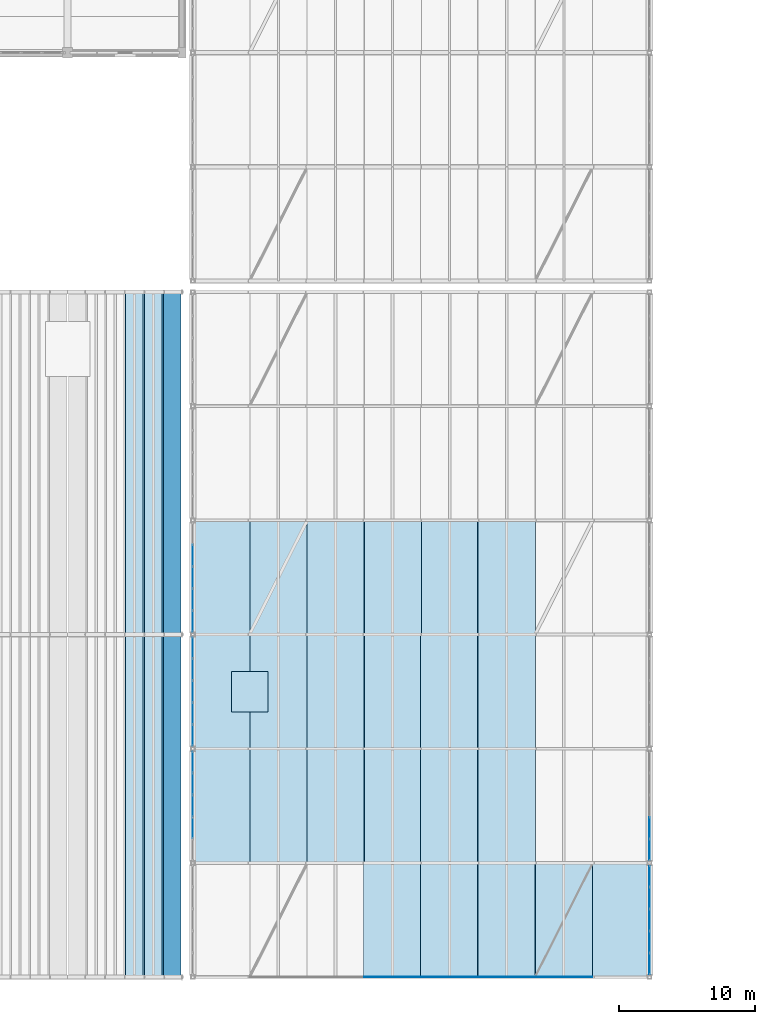
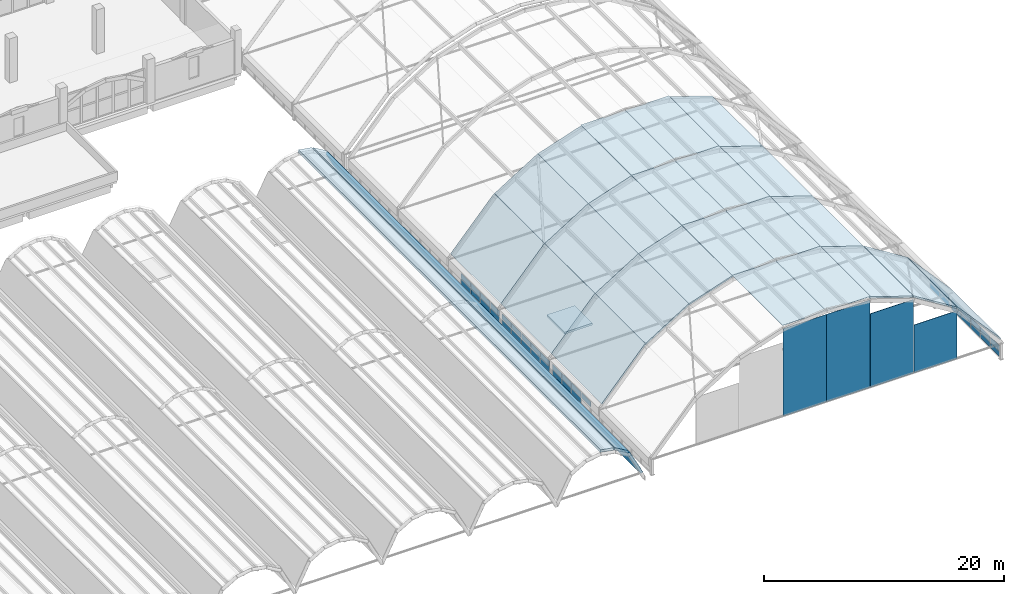
# One storey, part 88 of 114: 51 plates, 19 slabs, 5 elements without a shape of their own.
"""IFC4 building model written with IfcOpenShell, lengths in metres."""

from ifc_helpers import new_model, si_unit, direction, frame, origin, origin_2d, place, context, subcontext, project, spatial, polyline, rectangle, outline, extrude, material, layer, layer_set, type_object, element, aggregate, save


model = new_model("IFC4")

# Units and contexts
model_context = context("Model", 3, precision=1e-05, world=origin(), true_north=direction((0.0, 1.0)))
body_context = subcontext(model_context, "Body", "Model", "MODEL_VIEW")
ifc_project = project(units=[si_unit("LENGTHUNIT", "METRE"), si_unit("AREAUNIT", "SQUARE_METRE"), si_unit("VOLUMEUNIT", "CUBIC_METRE"), si_unit("PLANEANGLEUNIT", "RADIAN"), si_unit("MASSUNIT", "GRAM", prefix="KILO")], contexts=[model_context])

# Site, building, storey
site_placement = place(None, origin())
site = spatial("IfcSite", under=ifc_project, at=site_placement, CompositionType="ELEMENT")
building_placement = place(site_placement, origin())
building = spatial("IfcBuilding", under=site, at=building_placement, Name="Xazarin Passage Department Store", CompositionType="ELEMENT")
storey_placement = place(building_placement, frame((0.0, 0.0, 14.39990234375)))
storey = spatial("IfcBuildingStorey", under=building, at=storey_placement, Name="L03", CompositionType="ELEMENT", Elevation=14.39990234375)

# Curtain wall, plates
ifc_material_1 = material(Name="Bronze anodised aluminium", Category="aluminium")
ifc_layer_1 = layer(ifc_material_1, 0.159912109375)
ifc_layer_set_1 = layer_set([ifc_layer_1], Name="Bronze anodised aluminium")
curtain_wall_type = type_object("IfcCurtainWallType", Name="ARC-CW-ARC1", PredefinedType="NOTDEFINED", material=ifc_layer_set_1)
curtain_wall_1_placement = place(storey_placement, origin())
curtain_wall_1 = element("IfcCurtainWall", 1, at=curtain_wall_1_placement, inside=storey, type_object=curtain_wall_type, Name="L03 V2S Galleria Clerestory Curtain Wall 1E", PredefinedType="NOTDEFINED")
ifc_material_2 = material(Name="Low-E laminated safety glass", Category="glass")
ifc_layer_2 = layer(ifc_material_2, 0.028076171875)
ifc_layer_set_2 = layer_set([ifc_layer_2], Name="Low-E laminated safety glass")
plate_type_1 = type_object("IfcPlateType", Name="ARC-CWP-GLZ28", PredefinedType="CURTAIN_PANEL", material=ifc_layer_set_2)
plate_1_placement = place(storey_placement, frame((101.60009765625, 0.984130859375, 0.065185546875), z_axis=(0.0, 0.0, 1.0), x_axis=(0.0, 1.0, 0.0)))
plate_1 = element("IfcPlate", 2, at=plate_1_placement, type_object=plate_type_1, Name="CW3 panel 1.1", PredefinedType="CURTAIN_PANEL", context=body_context, shape_type="SweptSolid", body=[
    extrude(rectangle(XDim=1.5185546875, YDim=0.028076171875, at=origin_2d()), origin(), (0.0, 0.0, 1.0), 0.5283203125),
])
plate_2_placement = place(storey_placement, frame((101.60009765625, 0.984130859375, 0.658447265625), z_axis=(0.0, 0.0, 1.0), x_axis=(0.0, 1.0, 0.0)))
plate_2 = element("IfcPlate", 3, at=plate_2_placement, type_object=plate_type_1, Name="CW3 panel 1.2", PredefinedType="CURTAIN_PANEL", context=body_context, shape_type="SweptSolid", body=[
    extrude(rectangle(XDim=1.5185546875, YDim=0.028076171875, at=origin_2d()), origin(), (0.0, 0.0, 1.0), 0.5283203125),
])
plate_3_placement = place(storey_placement, frame((101.60009765625, 2.583984375, 0.065185546875), z_axis=(0.0, 0.0, 1.0), x_axis=(0.0, 1.0, 0.0)))
plate_3 = element("IfcPlate", 4, at=plate_3_placement, type_object=plate_type_1, Name="CW3 panel 2.1", PredefinedType="CURTAIN_PANEL", context=body_context, shape_type="SweptSolid", body=[
    extrude(rectangle(XDim=1.551025390625, YDim=0.028076171875, at=origin_2d()), origin(), (0.0, 0.0, 1.0), 0.5283203125),
])
plate_4_placement = place(storey_placement, frame((101.60009765625, 2.583984375, 0.658447265625), z_axis=(0.0, 0.0, 1.0), x_axis=(0.0, 1.0, 0.0)))
plate_4 = element("IfcPlate", 5, at=plate_4_placement, type_object=plate_type_1, Name="CW3 panel 2.2", PredefinedType="CURTAIN_PANEL", context=body_context, shape_type="SweptSolid", body=[
    extrude(rectangle(XDim=1.551025390625, YDim=0.028076171875, at=origin_2d()), origin(), (0.0, 0.0, 1.0), 0.5283203125),
])
plate_5_placement = place(storey_placement, frame((101.60009765625, 4.199951171875, 0.065185546875), z_axis=(0.0, 0.0, 1.0), x_axis=(0.0, 1.0, 0.0)))
plate_5 = element("IfcPlate", 6, at=plate_5_placement, type_object=plate_type_1, Name="CW3 panel 3.1", PredefinedType="CURTAIN_PANEL", context=body_context, shape_type="SweptSolid", body=[
    extrude(rectangle(XDim=1.551025390625, YDim=0.028076171875, at=origin_2d()), origin(), (0.0, 0.0, 1.0), 0.5283203125),
])
plate_6_placement = place(storey_placement, frame((101.60009765625, 4.199951171875, 0.658447265625), z_axis=(0.0, 0.0, 1.0), x_axis=(0.0, 1.0, 0.0)))
plate_6 = element("IfcPlate", 7, at=plate_6_placement, type_object=plate_type_1, Name="CW3 panel 3.2", PredefinedType="CURTAIN_PANEL", context=body_context, shape_type="SweptSolid", body=[
    extrude(rectangle(XDim=1.551025390625, YDim=0.028076171875, at=origin_2d()), origin(), (0.0, 0.0, 1.0), 0.5283203125),
])
plate_7_placement = place(storey_placement, frame((101.60009765625, 5.81591796875, 0.065185546875), z_axis=(0.0, 0.0, 1.0), x_axis=(0.0, 1.0, 0.0)))
plate_7 = element("IfcPlate", 8, at=plate_7_placement, type_object=plate_type_1, Name="CW3 panel 4.1", PredefinedType="CURTAIN_PANEL", context=body_context, shape_type="SweptSolid", body=[
    extrude(rectangle(XDim=1.551025390625, YDim=0.028076171875, at=origin_2d()), origin(), (0.0, 0.0, 1.0), 0.5283203125),
])
plate_8_placement = place(storey_placement, frame((101.60009765625, 5.81591796875, 0.658447265625), z_axis=(0.0, 0.0, 1.0), x_axis=(0.0, 1.0, 0.0)))
plate_8 = element("IfcPlate", 9, at=plate_8_placement, type_object=plate_type_1, Name="CW3 panel 4.2", PredefinedType="CURTAIN_PANEL", context=body_context, shape_type="SweptSolid", body=[
    extrude(rectangle(XDim=1.551025390625, YDim=0.028076171875, at=origin_2d()), origin(), (0.0, 0.0, 1.0), 0.5283203125),
])
plate_9_placement = place(storey_placement, frame((101.60009765625, 7.415771484375, 0.065185546875), z_axis=(0.0, 0.0, 1.0), x_axis=(0.0, 1.0, 0.0)))
plate_9 = element("IfcPlate", 10, at=plate_9_placement, type_object=plate_type_1, Name="CW3 panel 5.1", PredefinedType="CURTAIN_PANEL", context=body_context, shape_type="SweptSolid", body=[
    extrude(rectangle(XDim=1.5185546875, YDim=0.028076171875, at=origin_2d()), origin(), (0.0, 0.0, 1.0), 0.5283203125),
])
plate_10_placement = place(storey_placement, frame((101.60009765625, 7.415771484375, 0.658447265625), z_axis=(0.0, 0.0, 1.0), x_axis=(0.0, 1.0, 0.0)))
plate_10 = element("IfcPlate", 11, at=plate_10_placement, type_object=plate_type_1, Name="CW3 panel 5.2", PredefinedType="CURTAIN_PANEL", context=body_context, shape_type="SweptSolid", body=[
    extrude(rectangle(XDim=1.5185546875, YDim=0.028076171875, at=origin_2d()), origin(), (0.0, 0.0, 1.0), 0.5283203125),
])
aggregate(curtain_wall_1, [plate_1, plate_2, plate_3, plate_4, plate_5, plate_6, plate_7, plate_8, plate_9, plate_10])

curtain_wall_2_placement = place(storey_placement, origin())
curtain_wall_2 = element("IfcCurtainWall", 12, at=curtain_wall_2_placement, inside=storey, type_object=curtain_wall_type, Name="L03 V2S Galleria Clerestory Curtain Wall 2W", PredefinedType="NOTDEFINED")
plate_11_placement = place(storey_placement, frame((68.0, 10.98388671875, 0.658447265625), z_axis=(0.0, 0.0, 1.0), x_axis=(0.0, 1.0, 0.0)))
plate_11 = element("IfcPlate", 13, at=plate_11_placement, type_object=plate_type_1, Name="CW3 panel 2.2", PredefinedType="CURTAIN_PANEL", context=body_context, shape_type="SweptSolid", body=[
    extrude(rectangle(XDim=1.551025390625, YDim=0.028076171875, at=origin_2d()), origin(), (0.0, 0.0, 1.0), 0.5283203125),
])
plate_12_placement = place(storey_placement, frame((68.0, 12.60009765625, 0.065185546875), z_axis=(0.0, 0.0, 1.0), x_axis=(0.0, 1.0, 0.0)))
plate_12 = element("IfcPlate", 14, at=plate_12_placement, type_object=plate_type_1, Name="CW3 panel 3.1", PredefinedType="CURTAIN_PANEL", context=body_context, shape_type="SweptSolid", body=[
    extrude(rectangle(XDim=1.551025390625, YDim=0.028076171875, at=origin_2d()), origin(), (0.0, 0.0, 1.0), 0.5283203125),
])
plate_13_placement = place(storey_placement, frame((68.0, 12.60009765625, 0.658447265625), z_axis=(0.0, 0.0, 1.0), x_axis=(0.0, 1.0, 0.0)))
plate_13 = element("IfcPlate", 15, at=plate_13_placement, type_object=plate_type_1, Name="CW3 panel 3.2", PredefinedType="CURTAIN_PANEL", context=body_context, shape_type="SweptSolid", body=[
    extrude(rectangle(XDim=1.551025390625, YDim=0.028076171875, at=origin_2d()), origin(), (0.0, 0.0, 1.0), 0.5283203125),
])
plate_14_placement = place(storey_placement, frame((68.0, 14.216064453125, 0.065185546875), z_axis=(0.0, 0.0, 1.0), x_axis=(0.0, 1.0, 0.0)))
plate_14 = element("IfcPlate", 16, at=plate_14_placement, type_object=plate_type_1, Name="CW3 panel 4.1", PredefinedType="CURTAIN_PANEL", context=body_context, shape_type="SweptSolid", body=[
    extrude(rectangle(XDim=1.551025390625, YDim=0.028076171875, at=origin_2d()), origin(), (0.0, 0.0, 1.0), 0.5283203125),
])
plate_15_placement = place(storey_placement, frame((68.0, 14.216064453125, 0.658447265625), z_axis=(0.0, 0.0, 1.0), x_axis=(0.0, 1.0, 0.0)))
plate_15 = element("IfcPlate", 17, at=plate_15_placement, type_object=plate_type_1, Name="CW3 panel 4.2", PredefinedType="CURTAIN_PANEL", context=body_context, shape_type="SweptSolid", body=[
    extrude(rectangle(XDim=1.551025390625, YDim=0.028076171875, at=origin_2d()), origin(), (0.0, 0.0, 1.0), 0.5283203125),
])
plate_16_placement = place(storey_placement, frame((68.0, 15.815673828125, 0.065185546875), z_axis=(0.0, 0.0, 1.0), x_axis=(0.0, 1.0, 0.0)))
plate_16 = element("IfcPlate", 18, at=plate_16_placement, type_object=plate_type_1, Name="CW3 panel 5.1", PredefinedType="CURTAIN_PANEL", context=body_context, shape_type="SweptSolid", body=[
    extrude(rectangle(XDim=1.5185546875, YDim=0.028076171875, at=origin_2d()), origin(), (0.0, 0.0, 1.0), 0.5283203125),
])
plate_17_placement = place(storey_placement, frame((68.0, 15.815673828125, 0.658447265625), z_axis=(0.0, 0.0, 1.0), x_axis=(0.0, 1.0, 0.0)))
plate_17 = element("IfcPlate", 19, at=plate_17_placement, type_object=plate_type_1, Name="CW3 panel 5.2", PredefinedType="CURTAIN_PANEL", context=body_context, shape_type="SweptSolid", body=[
    extrude(rectangle(XDim=1.5185546875, YDim=0.028076171875, at=origin_2d()), origin(), (0.0, 0.0, 1.0), 0.5283203125),
])
aggregate(curtain_wall_2, [plate_11, plate_12, plate_13, plate_14, plate_15, plate_16, plate_17])

curtain_wall_3_placement = place(storey_placement, origin())
curtain_wall_3 = element("IfcCurtainWall", 20, at=curtain_wall_3_placement, inside=storey, type_object=curtain_wall_type, Name="L03 V2S Galleria Clerestory Curtain Wall 2E", PredefinedType="NOTDEFINED")
plate_18_placement = place(storey_placement, frame((101.60009765625, 9.38427734375, 0.065185546875), z_axis=(0.0, 0.0, 1.0), x_axis=(0.0, 1.0, 0.0)))
plate_18 = element("IfcPlate", 21, at=plate_18_placement, type_object=plate_type_1, Name="CW3 panel 1.1", PredefinedType="CURTAIN_PANEL", context=body_context, shape_type="SweptSolid", body=[
    extrude(rectangle(XDim=1.5185546875, YDim=0.028076171875, at=origin_2d()), origin(), (0.0, 0.0, 1.0), 0.5283203125),
])
plate_19_placement = place(storey_placement, frame((101.60009765625, 9.38427734375, 0.658447265625), z_axis=(0.0, 0.0, 1.0), x_axis=(0.0, 1.0, 0.0)))
plate_19 = element("IfcPlate", 22, at=plate_19_placement, type_object=plate_type_1, Name="CW3 panel 1.2", PredefinedType="CURTAIN_PANEL", context=body_context, shape_type="SweptSolid", body=[
    extrude(rectangle(XDim=1.5185546875, YDim=0.028076171875, at=origin_2d()), origin(), (0.0, 0.0, 1.0), 0.5283203125),
])
plate_20_placement = place(storey_placement, frame((101.60009765625, 10.98388671875, 0.065185546875), z_axis=(0.0, 0.0, 1.0), x_axis=(0.0, 1.0, 0.0)))
plate_20 = element("IfcPlate", 23, at=plate_20_placement, type_object=plate_type_1, Name="CW3 panel 2.1", PredefinedType="CURTAIN_PANEL", context=body_context, shape_type="SweptSolid", body=[
    extrude(rectangle(XDim=1.551025390625, YDim=0.028076171875, at=origin_2d()), origin(), (0.0, 0.0, 1.0), 0.5283203125),
])
plate_21_placement = place(storey_placement, frame((101.60009765625, 10.98388671875, 0.658447265625), z_axis=(0.0, 0.0, 1.0), x_axis=(0.0, 1.0, 0.0)))
plate_21 = element("IfcPlate", 24, at=plate_21_placement, type_object=plate_type_1, Name="CW3 panel 2.2", PredefinedType="CURTAIN_PANEL", context=body_context, shape_type="SweptSolid", body=[
    extrude(rectangle(XDim=1.551025390625, YDim=0.028076171875, at=origin_2d()), origin(), (0.0, 0.0, 1.0), 0.5283203125),
])
aggregate(curtain_wall_3, [plate_18, plate_19, plate_20, plate_21])

curtain_wall_4_placement = place(storey_placement, origin())
curtain_wall_4 = element("IfcCurtainWall", 25, at=curtain_wall_4_placement, inside=storey, type_object=curtain_wall_type, Name="L03 V2S Galleria Clerestory Curtain Wall 3W", PredefinedType="NOTDEFINED")
plate_22_placement = place(storey_placement, frame((68.0, 17.7841796875, 0.065185546875), z_axis=(0.0, 0.0, 1.0), x_axis=(0.0, 1.0, 0.0)))
plate_22 = element("IfcPlate", 26, at=plate_22_placement, type_object=plate_type_1, Name="CW3 panel 1.1", PredefinedType="CURTAIN_PANEL", context=body_context, shape_type="SweptSolid", body=[
    extrude(rectangle(XDim=1.5185546875, YDim=0.028076171875, at=origin_2d()), origin(), (0.0, 0.0, 1.0), 0.5283203125),
])
plate_23_placement = place(storey_placement, frame((68.0, 17.7841796875, 0.658447265625), z_axis=(0.0, 0.0, 1.0), x_axis=(0.0, 1.0, 0.0)))
plate_23 = element("IfcPlate", 27, at=plate_23_placement, type_object=plate_type_1, Name="CW3 panel 1.2", PredefinedType="CURTAIN_PANEL", context=body_context, shape_type="SweptSolid", body=[
    extrude(rectangle(XDim=1.5185546875, YDim=0.028076171875, at=origin_2d()), origin(), (0.0, 0.0, 1.0), 0.5283203125),
])
plate_24_placement = place(storey_placement, frame((68.0, 19.384033203125, 0.065185546875), z_axis=(0.0, 0.0, 1.0), x_axis=(0.0, 1.0, 0.0)))
plate_24 = element("IfcPlate", 28, at=plate_24_placement, type_object=plate_type_1, Name="CW3 panel 2.1", PredefinedType="CURTAIN_PANEL", context=body_context, shape_type="SweptSolid", body=[
    extrude(rectangle(XDim=1.551025390625, YDim=0.028076171875, at=origin_2d()), origin(), (0.0, 0.0, 1.0), 0.5283203125),
])
plate_25_placement = place(storey_placement, frame((68.0, 19.384033203125, 0.658447265625), z_axis=(0.0, 0.0, 1.0), x_axis=(0.0, 1.0, 0.0)))
plate_25 = element("IfcPlate", 29, at=plate_25_placement, type_object=plate_type_1, Name="CW3 panel 2.2", PredefinedType="CURTAIN_PANEL", context=body_context, shape_type="SweptSolid", body=[
    extrude(rectangle(XDim=1.551025390625, YDim=0.028076171875, at=origin_2d()), origin(), (0.0, 0.0, 1.0), 0.5283203125),
])
plate_26_placement = place(storey_placement, frame((68.0, 21.0, 0.065185546875), z_axis=(0.0, 0.0, 1.0), x_axis=(0.0, 1.0, 0.0)))
plate_26 = element("IfcPlate", 30, at=plate_26_placement, type_object=plate_type_1, Name="CW3 panel 3.1", PredefinedType="CURTAIN_PANEL", context=body_context, shape_type="SweptSolid", body=[
    extrude(rectangle(XDim=1.551025390625, YDim=0.028076171875, at=origin_2d()), origin(), (0.0, 0.0, 1.0), 0.5283203125),
])
plate_27_placement = place(storey_placement, frame((68.0, 21.0, 0.658447265625), z_axis=(0.0, 0.0, 1.0), x_axis=(0.0, 1.0, 0.0)))
plate_27 = element("IfcPlate", 31, at=plate_27_placement, type_object=plate_type_1, Name="CW3 panel 3.2", PredefinedType="CURTAIN_PANEL", context=body_context, shape_type="SweptSolid", body=[
    extrude(rectangle(XDim=1.551025390625, YDim=0.028076171875, at=origin_2d()), origin(), (0.0, 0.0, 1.0), 0.5283203125),
])
plate_28_placement = place(storey_placement, frame((68.0, 22.615966796875, 0.065185546875), z_axis=(0.0, 0.0, 1.0), x_axis=(0.0, 1.0, 0.0)))
plate_28 = element("IfcPlate", 32, at=plate_28_placement, type_object=plate_type_1, Name="CW3 panel 4.1", PredefinedType="CURTAIN_PANEL", context=body_context, shape_type="SweptSolid", body=[
    extrude(rectangle(XDim=1.551025390625, YDim=0.028076171875, at=origin_2d()), origin(), (0.0, 0.0, 1.0), 0.5283203125),
])
plate_29_placement = place(storey_placement, frame((68.0, 22.615966796875, 0.658447265625), z_axis=(0.0, 0.0, 1.0), x_axis=(0.0, 1.0, 0.0)))
plate_29 = element("IfcPlate", 33, at=plate_29_placement, type_object=plate_type_1, Name="CW3 panel 4.2", PredefinedType="CURTAIN_PANEL", context=body_context, shape_type="SweptSolid", body=[
    extrude(rectangle(XDim=1.551025390625, YDim=0.028076171875, at=origin_2d()), origin(), (0.0, 0.0, 1.0), 0.5283203125),
])
plate_30_placement = place(storey_placement, frame((68.0, 24.2158203125, 0.065185546875), z_axis=(0.0, 0.0, 1.0), x_axis=(0.0, 1.0, 0.0)))
plate_30 = element("IfcPlate", 34, at=plate_30_placement, type_object=plate_type_1, Name="CW3 panel 5.1", PredefinedType="CURTAIN_PANEL", context=body_context, shape_type="SweptSolid", body=[
    extrude(rectangle(XDim=1.5185546875, YDim=0.028076171875, at=origin_2d()), origin(), (0.0, 0.0, 1.0), 0.5283203125),
])
plate_31_placement = place(storey_placement, frame((68.0, 24.2158203125, 0.658447265625), z_axis=(0.0, 0.0, 1.0), x_axis=(0.0, 1.0, 0.0)))
plate_31 = element("IfcPlate", 35, at=plate_31_placement, type_object=plate_type_1, Name="CW3 panel 5.2", PredefinedType="CURTAIN_PANEL", context=body_context, shape_type="SweptSolid", body=[
    extrude(rectangle(XDim=1.5185546875, YDim=0.028076171875, at=origin_2d()), origin(), (0.0, 0.0, 1.0), 0.5283203125),
])
aggregate(curtain_wall_4, [plate_22, plate_23, plate_24, plate_25, plate_26, plate_27, plate_28, plate_29, plate_30, plate_31])

curtain_wall_5_placement = place(storey_placement, origin())
curtain_wall_5 = element("IfcCurtainWall", 36, at=curtain_wall_5_placement, inside=storey, type_object=curtain_wall_type, Name="L03 V2S Galleria Clerestory Curtain Wall 4W", PredefinedType="NOTDEFINED")
plate_32_placement = place(storey_placement, frame((68.0, 26.184326171875, 0.065185546875), z_axis=(0.0, 0.0, 1.0), x_axis=(0.0, 1.0, 0.0)))
plate_32 = element("IfcPlate", 37, at=plate_32_placement, type_object=plate_type_1, Name="CW3 panel 1.1", PredefinedType="CURTAIN_PANEL", context=body_context, shape_type="SweptSolid", body=[
    extrude(rectangle(XDim=1.5185546875, YDim=0.028076171875, at=origin_2d()), origin(), (0.0, 0.0, 1.0), 0.5283203125),
])
plate_33_placement = place(storey_placement, frame((68.0, 26.184326171875, 0.658447265625), z_axis=(0.0, 0.0, 1.0), x_axis=(0.0, 1.0, 0.0)))
plate_33 = element("IfcPlate", 38, at=plate_33_placement, type_object=plate_type_1, Name="CW3 panel 1.2", PredefinedType="CURTAIN_PANEL", context=body_context, shape_type="SweptSolid", body=[
    extrude(rectangle(XDim=1.5185546875, YDim=0.028076171875, at=origin_2d()), origin(), (0.0, 0.0, 1.0), 0.5283203125),
])
plate_34_placement = place(storey_placement, frame((68.0, 27.783935546875, 0.065185546875), z_axis=(0.0, 0.0, 1.0), x_axis=(0.0, 1.0, 0.0)))
plate_34 = element("IfcPlate", 39, at=plate_34_placement, type_object=plate_type_1, Name="CW3 panel 2.1", PredefinedType="CURTAIN_PANEL", context=body_context, shape_type="SweptSolid", body=[
    extrude(rectangle(XDim=1.551025390625, YDim=0.028076171875, at=origin_2d()), origin(), (0.0, 0.0, 1.0), 0.5283203125),
])
plate_35_placement = place(storey_placement, frame((68.0, 27.783935546875, 0.658447265625), z_axis=(0.0, 0.0, 1.0), x_axis=(0.0, 1.0, 0.0)))
plate_35 = element("IfcPlate", 40, at=plate_35_placement, type_object=plate_type_1, Name="CW3 panel 2.2", PredefinedType="CURTAIN_PANEL", context=body_context, shape_type="SweptSolid", body=[
    extrude(rectangle(XDim=1.551025390625, YDim=0.028076171875, at=origin_2d()), origin(), (0.0, 0.0, 1.0), 0.5283203125),
])
plate_36_placement = place(storey_placement, frame((68.0, 29.39990234375, 0.065185546875), z_axis=(0.0, 0.0, 1.0), x_axis=(0.0, 1.0, 0.0)))
plate_36 = element("IfcPlate", 41, at=plate_36_placement, type_object=plate_type_1, Name="CW3 panel 3.1", PredefinedType="CURTAIN_PANEL", context=body_context, shape_type="SweptSolid", body=[
    extrude(rectangle(XDim=1.551025390625, YDim=0.028076171875, at=origin_2d()), origin(), (0.0, 0.0, 1.0), 0.5283203125),
])
plate_37_placement = place(storey_placement, frame((68.0, 29.39990234375, 0.658447265625), z_axis=(0.0, 0.0, 1.0), x_axis=(0.0, 1.0, 0.0)))
plate_37 = element("IfcPlate", 42, at=plate_37_placement, type_object=plate_type_1, Name="CW3 panel 3.2", PredefinedType="CURTAIN_PANEL", context=body_context, shape_type="SweptSolid", body=[
    extrude(rectangle(XDim=1.551025390625, YDim=0.028076171875, at=origin_2d()), origin(), (0.0, 0.0, 1.0), 0.5283203125),
])
plate_38_placement = place(storey_placement, frame((68.0, 31.01611328125, 0.065185546875), z_axis=(0.0, 0.0, 1.0), x_axis=(0.0, 1.0, 0.0)))
plate_38 = element("IfcPlate", 43, at=plate_38_placement, type_object=plate_type_1, Name="CW3 panel 4.1", PredefinedType="CURTAIN_PANEL", context=body_context, shape_type="SweptSolid", body=[
    extrude(rectangle(XDim=1.551025390625, YDim=0.028076171875, at=origin_2d()), origin(), (0.0, 0.0, 1.0), 0.5283203125),
])
plate_39_placement = place(storey_placement, frame((68.0, 31.01611328125, 0.658447265625), z_axis=(0.0, 0.0, 1.0), x_axis=(0.0, 1.0, 0.0)))
plate_39 = element("IfcPlate", 44, at=plate_39_placement, type_object=plate_type_1, Name="CW3 panel 4.2", PredefinedType="CURTAIN_PANEL", context=body_context, shape_type="SweptSolid", body=[
    extrude(rectangle(XDim=1.551025390625, YDim=0.028076171875, at=origin_2d()), origin(), (0.0, 0.0, 1.0), 0.5283203125),
])
aggregate(curtain_wall_5, [plate_32, plate_33, plate_34, plate_35, plate_36, plate_37, plate_38, plate_39])

# Plates
ifc_layer_3 = layer(ifc_material_2, 0.028076171875)
ifc_layer_set_3 = layer_set([ifc_layer_3], Name="Low-E laminated safety glass")
plate_type_2 = type_object("IfcPlateType", Name="ARC-PLT-VGLZ28", PredefinedType="SHEET", material=ifc_layer_set_3)
for number, where, z_axis, x_axis, name in (
    (45, (82.699951171875, 0.0, 1.49169921875), (0.0, 0.0, 1.0), (1.0, 0.0, 0.0), "V2S Glazed Gable Tympanum Panel 1.4"),
    (46, (86.89990234375, 0.0, 1.49169921875), (0.0, 0.0, 1.0), (1.0, 0.0, 0.0), "V2S Glazed Gable Tympanum Panel 1.5"),
):
    element("IfcPlate", number, at=place(storey_placement, frame(where, z_axis=z_axis, x_axis=x_axis)), inside=storey, type_object=plate_type_2, Name=name, PredefinedType="SHEET", context=body_context, shape_type="SweptSolid", body=[
        extrude(rectangle(XDim=4.159912109375, YDim=0.031982421875, at=origin_2d()), origin(), (0.0, 0.0, 1.0), 8.902099609375),
    ])
plate_40_placement = place(storey_placement, frame((91.10009765625, 0.0, 1.49169921875), z_axis=(0.0, 0.0, 1.0), x_axis=(1.0, 0.0, 0.0)))
element("IfcPlate", 47, at=plate_40_placement, inside=storey, type_object=plate_type_2, Name="V2S Glazed Gable Tympanum Panel 1.6", PredefinedType="SHEET", context=body_context, shape_type="SweptSolid", body=[
    extrude(rectangle(XDim=4.159912109375, YDim=0.031982421875, at=origin_2d()), origin(), (0.0, 0.0, 1.0), 7.4990234375),
])
plate_41_placement = place(storey_placement, frame((95.300048828125, 0.0, 1.491943359375), z_axis=(0.0, 0.0, 1.0), x_axis=(1.0, 0.0, 0.0)))
element("IfcPlate", 48, at=plate_41_placement, inside=storey, type_object=plate_type_2, Name="V2S Glazed Gable Tympanum Panel 1.7", PredefinedType="SHEET", context=body_context, shape_type="SweptSolid", body=[
    extrude(rectangle(XDim=4.159912109375, YDim=0.031982421875, at=origin_2d()), origin(), (0.0, 0.0, 1.0), 4.8798828125),
])
for number, where, z_axis, x_axis, name in (
    (49, (82.699951171875, 4.199951171875, 10.7509765625), (0.0, 0.0, 1.0), (1.0, 0.0, 0.0), "V2S Crown Skylight Glazing Panel 1.4"),
    (50, (86.89990234375, 4.199951171875, 10.7509765625), (0.0, 0.0, 1.0), (1.0, 0.0, 0.0), "V2S Crown Skylight Glazing Panel 1.5"),
    (51, (82.699951171875, 12.60009765625, 10.7509765625), (0.0, 0.0, 1.0), (1.0, 0.0, 0.0), "V2S Crown Skylight Glazing Panel 2.4"),
    (52, (86.89990234375, 12.60009765625, 10.7509765625), (0.0, 0.0, 1.0), (1.0, 0.0, 0.0), "V2S Crown Skylight Glazing Panel 2.5"),
    (53, (82.699951171875, 21.0, 10.7509765625), (0.0, 0.0, 1.0), (1.0, 0.0, 0.0), "V2S Crown Skylight Glazing Panel 3.4"),
    (54, (86.89990234375, 21.0, 10.7509765625), (0.0, 0.0, 1.0), (1.0, 0.0, 0.0), "V2S Crown Skylight Glazing Panel 3.5"),
    (55, (82.699951171875, 29.39990234375, 10.7509765625), (0.0, 0.0, 1.0), (1.0, 0.0, 0.0), "V2S Crown Skylight Glazing Panel 4.4"),
    (56, (86.89990234375, 29.39990234375, 10.7509765625), (0.0, 0.0, 1.0), (1.0, 0.0, 0.0), "V2S Crown Skylight Glazing Panel 4.5"),
):
    element("IfcPlate", number, at=place(storey_placement, frame(where, z_axis=z_axis, x_axis=x_axis)), inside=storey, type_object=plate_type_2, Name=name, PredefinedType="SHEET", context=body_context, shape_type="SweptSolid", body=[
        extrude(rectangle(XDim=4.280029296875, YDim=8.47998046875, at=origin_2d()), origin(), (0.0, 0.0, 1.0), 0.028076171875),
    ])

# Slabs
ifc_material_3 = material(Name="Concrete C35/45", Category="concrete")
ifc_layer_4 = layer(ifc_material_3, 0.2099609375)
ifc_layer_set_4 = layer_set([ifc_layer_4], Name="Concrete C35/45")
slab_type_1 = type_object("IfcSlabType", Name="STR-SLB-OVR210", PredefinedType="ROOF", material=ifc_layer_set_4)
slab_1_placement = place(storey_placement, frame((0.0, 0.0, 1.400146484375)))
element("IfcSlab", 57, at=slab_1_placement, inside=storey, type_object=slab_type_1, Name="Lift PL3 Overrun Roof Slab", PredefinedType="ROOF", context=body_context, shape_type="SweptSolid", body=[
    extrude(outline(polyline([(70.8701171875, 19.52001953125), (73.530029296875, 19.52001953125), (73.530029296875, 22.47998046875), (70.8701171875, 22.47998046875), (70.8701171875, 19.52001953125)])), origin(), (0.0, 0.0, 1.0), 0.2099609375),
])
ifc_material_4 = material(Name="Concrete C40/50", Category="concrete")
ifc_layer_5 = layer(ifc_material_4, 0.239990234375)
ifc_layer_set_5 = layer_set([ifc_layer_5], Name="Concrete C40/50")
slab_type_2 = type_object("IfcSlabType", Name="STR-SLB-SHL240", PredefinedType="ROOF", material=ifc_layer_set_5)
slab_2_placement = place(storey_placement, frame((89.0, 0.0, 10.724853515625), z_axis=(0.316955418934, 0.0, 0.948440436932), x_axis=(0.948440436932, 0.0, -0.316955418934)))
element("IfcSlab", 58, at=slab_2_placement, inside=storey, type_object=slab_type_2, Name="V2S Vaulted Roof Deck Facet 1.6", PredefinedType="ROOF", context=body_context, shape_type="SweptSolid", body=[
    extrude(outline(polyline([(0.0, 0.0), (4.428270883788645, 0.0), (4.428270883788645, 8.39990234375), (0.0, 8.39990234375), (0.0, 0.0)])), origin(), (0.0, 0.0, -1.0), 0.159912109375),
])
slab_3_placement = place(storey_placement, frame((93.199951171875, 0.0, 9.34130859375), z_axis=(0.529080815848, 0.0, 0.848571440894), x_axis=(0.848571440894, 0.0, -0.529080815848)))
element("IfcSlab", 59, at=slab_3_placement, inside=storey, type_object=slab_type_2, Name="V2S Vaulted Roof Deck Facet 1.7", PredefinedType="ROOF", context=body_context, shape_type="SweptSolid", body=[
    extrude(outline(polyline([(0.0, 0.0), (4.949437336057661, 0.0), (4.949437336057661, 8.39990234375), (0.0, 8.39990234375), (0.0, 0.0)])), origin(), (0.0, 0.0, -1.0), 0.159912109375),
])
slab_4_placement = place(storey_placement, frame((97.39990234375, 0.0, 6.7626953125), z_axis=(0.744239314694, 0.0, 0.667913050078), x_axis=(0.667913050078, 0.0, -0.744239314694)))
element("IfcSlab", 60, at=slab_4_placement, inside=storey, type_object=slab_type_2, Name="V2S Vaulted Roof Deck Facet 1.8", PredefinedType="ROOF", context=body_context, shape_type="SweptSolid", body=[
    extrude(outline(polyline([(0.0, 0.0), (6.288536078177975, 0.0), (6.288536078177975, 8.39990234375), (0.0, 8.39990234375), (0.0, 0.0)])), origin(), (0.0, 0.0, -1.0), 0.159912109375),
])
slab_5_placement = place(storey_placement, frame((68.0, 8.39990234375, 2.08251953125), z_axis=(-0.74425861336, 0.0, 0.667891545417), x_axis=(0.667891545417, 0.0, 0.74425861336)))
element("IfcSlab", 61, at=slab_5_placement, inside=storey, type_object=slab_type_2, Name="V2S Vaulted Roof Deck Facet 2.1", PredefinedType="ROOF", context=body_context, shape_type="SweptSolid", body=[
    extrude(outline(polyline([(0.0, 0.0), (6.28837301609353, 0.0), (6.28837301609353, 8.400146484375), (0.0, 8.400146484375), (0.0, 0.0)])), origin(), (0.0, 0.0, -1.0), 0.159912109375),
])
slab_6_placement = place(storey_placement, frame((72.199951171875, 8.39990234375, 6.72265625), z_axis=(-0.529080815848, 0.0, 0.848571440894), x_axis=(0.848571440894, 0.0, 0.529080815848)))
element("IfcSlab", 62, at=slab_6_placement, inside=storey, type_object=slab_type_2, Name="V2S Vaulted Roof Deck Facet 2.2", PredefinedType="ROOF", context=body_context, shape_type="SweptSolid", body=[
    extrude(outline(polyline([(0.0, 0.0), (4.949437336057661, 0.0), (4.949437336057661, 8.400146484375), (0.0, 8.400146484375), (0.0, 0.0)])), origin(), (0.0, 0.0, -1.0), 0.159912109375),
])
slab_7_placement = place(storey_placement, frame((76.39990234375, 8.39990234375, 9.3212890625), z_axis=(-0.316938846257, 0.0, 0.948445975126), x_axis=(0.948445975126, 0.0, 0.316938846257)))
element("IfcSlab", 63, at=slab_7_placement, inside=storey, type_object=slab_type_2, Name="V2S Vaulted Roof Deck Facet 2.3", PredefinedType="ROOF", context=body_context, shape_type="SweptSolid", body=[
    extrude(outline(polyline([(0.0, 0.0), (4.4285024373057595, 0.0), (4.4285024373057595, 8.400146484375), (0.0, 8.400146484375), (0.0, 0.0)])), origin(), (0.0, 0.0, -1.0), 0.159912109375),
])
slab_8_placement = place(storey_placement, frame((89.0, 8.39990234375, 10.724853515625), z_axis=(0.316955418934, 0.0, 0.948440436932), x_axis=(0.948440436932, 0.0, -0.316955418934)))
element("IfcSlab", 64, at=slab_8_placement, inside=storey, type_object=slab_type_2, Name="V2S Vaulted Roof Deck Facet 2.6", PredefinedType="ROOF", context=body_context, shape_type="SweptSolid", body=[
    extrude(outline(polyline([(0.0, 0.0), (4.428270883788644, 0.0), (4.428270883788644, 8.400146484375), (0.0, 8.400146484375), (0.0, 0.0)])), origin(), (0.0, 0.0, -1.0), 0.159912109375),
])
slab_9_placement = place(storey_placement, frame((68.0, 16.800048828125, 2.08251953125), z_axis=(-0.74425861336, 0.0, 0.667891545417), x_axis=(0.667891545417, 0.0, 0.74425861336)))
element("IfcSlab", 65, at=slab_9_placement, inside=storey, type_object=slab_type_2, Name="V2S Vaulted Roof Deck Facet 3.1", PredefinedType="ROOF", context=body_context, shape_type="SweptSolid", body=[
    extrude(outline(polyline([(0.0, 0.0), (6.28837301609353, 0.0), (6.28837301609353, 8.39990234375), (0.0, 8.39990234375), (0.0, 0.0)])), origin(), (0.0, 0.0, -1.0), 0.159912109375),
])
slab_10_placement = place(storey_placement, frame((72.199951171875, 16.800048828125, 6.72265625), z_axis=(-0.529080815848, 0.0, 0.848571440894), x_axis=(0.848571440894, 0.0, 0.529080815848)))
element("IfcSlab", 66, at=slab_10_placement, inside=storey, type_object=slab_type_2, Name="V2S Vaulted Roof Deck Facet 3.2", PredefinedType="ROOF", context=body_context, shape_type="SweptSolid", body=[
    extrude(outline(polyline([(0.0, 0.0), (4.949437336057661, 0.0), (4.949437336057661, 8.39990234375), (0.0, 8.39990234375), (0.0, 0.0)])), origin(), (0.0, 0.0, -1.0), 0.159912109375),
])
slab_11_placement = place(storey_placement, frame((76.39990234375, 16.800048828125, 9.3212890625), z_axis=(-0.316938846257, 0.0, 0.948445975126), x_axis=(0.948445975126, 0.0, 0.316938846257)))
element("IfcSlab", 67, at=slab_11_placement, inside=storey, type_object=slab_type_2, Name="V2S Vaulted Roof Deck Facet 3.3", PredefinedType="ROOF", context=body_context, shape_type="SweptSolid", body=[
    extrude(outline(polyline([(0.0, 0.0), (4.4285024373057595, 0.0), (4.4285024373057595, 8.39990234375), (0.0, 8.39990234375), (0.0, 0.0)])), origin(), (0.0, 0.0, -1.0), 0.159912109375),
])
slab_12_placement = place(storey_placement, frame((89.0, 16.800048828125, 10.724853515625), z_axis=(0.316955418934, 0.0, 0.948440436932), x_axis=(0.948440436932, 0.0, -0.316955418934)))
element("IfcSlab", 68, at=slab_12_placement, inside=storey, type_object=slab_type_2, Name="V2S Vaulted Roof Deck Facet 3.6", PredefinedType="ROOF", context=body_context, shape_type="SweptSolid", body=[
    extrude(outline(polyline([(0.0, 0.0), (4.428270883788645, 0.0), (4.428270883788645, 8.39990234375), (0.0, 8.39990234375), (0.0, 0.0)])), origin(), (0.0, 0.0, -1.0), 0.159912109375),
])
slab_13_placement = place(storey_placement, frame((68.0, 25.199951171875, 2.08251953125), z_axis=(-0.74425861336, 0.0, 0.667891545417), x_axis=(0.667891545417, 0.0, 0.74425861336)))
element("IfcSlab", 69, at=slab_13_placement, inside=storey, type_object=slab_type_2, Name="V2S Vaulted Roof Deck Facet 4.1", PredefinedType="ROOF", context=body_context, shape_type="SweptSolid", body=[
    extrude(outline(polyline([(0.0, 0.0), (6.28837301609353, 0.0), (6.28837301609353, 8.400146484375), (0.0, 8.400146484375), (0.0, 0.0)])), origin(), (0.0, 0.0, -1.0), 0.159912109375),
])
slab_14_placement = place(storey_placement, frame((72.199951171875, 25.199951171875, 6.72265625), z_axis=(-0.529080815848, 0.0, 0.848571440894), x_axis=(0.848571440894, 0.0, 0.529080815848)))
element("IfcSlab", 70, at=slab_14_placement, inside=storey, type_object=slab_type_2, Name="V2S Vaulted Roof Deck Facet 4.2", PredefinedType="ROOF", context=body_context, shape_type="SweptSolid", body=[
    extrude(outline(polyline([(0.0, 0.0), (4.949437336057661, 0.0), (4.949437336057661, 8.400146484375), (0.0, 8.400146484375), (0.0, 0.0)])), origin(), (0.0, 0.0, -1.0), 0.159912109375),
])
slab_15_placement = place(storey_placement, frame((76.39990234375, 25.199951171875, 9.3212890625), z_axis=(-0.316938846257, 0.0, 0.948445975126), x_axis=(0.948445975126, 0.0, 0.316938846257)))
element("IfcSlab", 71, at=slab_15_placement, inside=storey, type_object=slab_type_2, Name="V2S Vaulted Roof Deck Facet 4.3", PredefinedType="ROOF", context=body_context, shape_type="SweptSolid", body=[
    extrude(outline(polyline([(0.0, 0.0), (4.4285024373057595, 0.0), (4.4285024373057595, 8.400146484375), (0.0, 8.400146484375), (0.0, 0.0)])), origin(), (0.0, 0.0, -1.0), 0.159912109375),
])
slab_16_placement = place(storey_placement, frame((89.0, 25.199951171875, 10.724853515625), z_axis=(0.316955418934, 0.0, 0.948440436932), x_axis=(0.948440436932, 0.0, -0.316955418934)))
element("IfcSlab", 72, at=slab_16_placement, inside=storey, type_object=slab_type_2, Name="V2S Vaulted Roof Deck Facet 4.6", PredefinedType="ROOF", context=body_context, shape_type="SweptSolid", body=[
    extrude(outline(polyline([(0.0, 0.0), (4.428270883788644, 0.0), (4.428270883788644, 8.400146484375), (0.0, 8.400146484375), (0.0, 0.0)])), origin(), (0.0, 0.0, -1.0), 0.159912109375),
])
slab_17_placement = place(storey_placement, frame((63.055908203125, 0.0, 4.20556640625), z_axis=(0.168154766193, 0.0, 0.985760607149), x_axis=(0.985760607149, 0.0, -0.168154766193)))
element("IfcSlab", 73, at=slab_17_placement, inside=storey, type_object=slab_type_2, Name="L03 V3 Curved Barrel Shell Facet 7.4", PredefinedType="ROOF", context=body_context, shape_type="SweptSolid", body=[
    extrude(outline(polyline([(0.0, 0.0), (1.3066924445535453, 0.0), (1.3066924445535453, 50.39990234375), (0.0, 50.39990234375), (0.0, 0.0)])), origin(), (0.0, 0.0, -1.0), 0.239990234375),
])
slab_18_placement = place(storey_placement, frame((64.4560546875, 0.0, 3.943359375), z_axis=(0.507148645267, 0.0, 0.861858603023), x_axis=(0.861858603023, 0.0, -0.507148645267)))
element("IfcSlab", 74, at=slab_18_placement, inside=storey, type_object=slab_type_2, Name="L03 V3 Curved Barrel Shell Facet 7.5", PredefinedType="ROOF", context=body_context, shape_type="SweptSolid", body=[
    extrude(outline(polyline([(0.0, 0.0), (1.4942611147100358, 0.0), (1.4942611147100358, 50.39990234375), (0.0, 50.39990234375), (0.0, 0.0)])), origin(), (0.0, 0.0, -1.0), 0.239990234375),
])
slab_19_placement = place(storey_placement, frame((65.85595703125, 0.0, 3.043212890625), z_axis=(0.890316515826, 0.0, 0.455342180835), x_axis=(0.455342180835, 0.0, -0.890316515826)))
element("IfcSlab", 75, at=slab_19_placement, inside=storey, type_object=slab_type_2, Name="L03 V3 Curved Barrel Shell Facet 7.6", PredefinedType="ROOF", context=body_context, shape_type="SweptSolid", body=[
    extrude(outline(polyline([(0.0, 0.0), (2.8288306941762134, 0.0), (2.8288306941762134, 50.399902343750014), (0.0, 50.399902343750014), (0.0, 0.0)])), origin(), (0.0, 0.0, -1.0), 0.239990234375),
])

save(model, "model.ifc")
